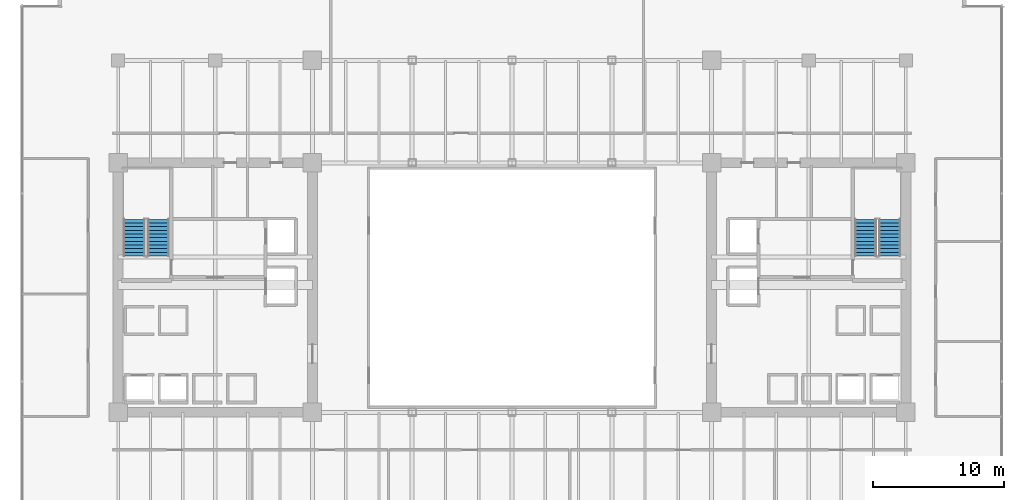
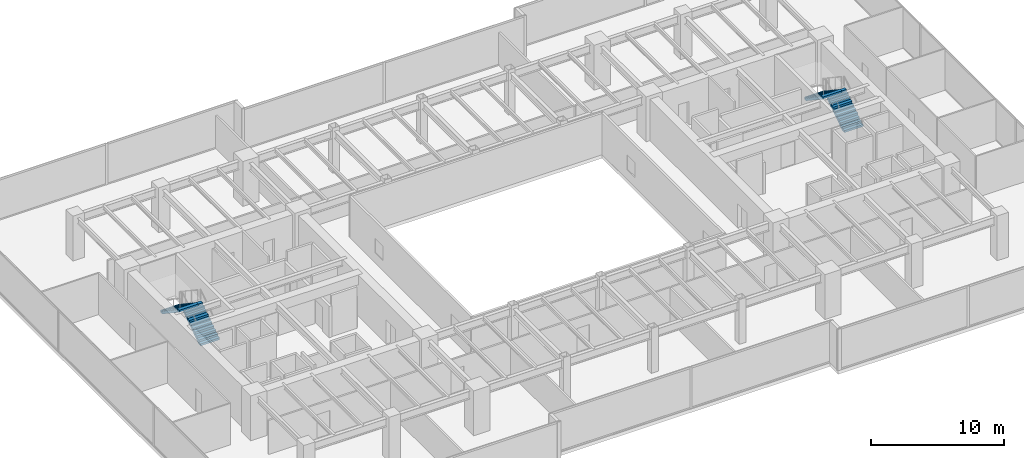
# One storey, part 33 of 35: 4 stair flights, 2 elements without a shape of their own.
"""IFC4 building model written with IfcOpenShell, lengths in metres."""

from ifc_helpers import new_model, si_unit, direction, frame, origin, place, context, subcontext, project, spatial, polyline, outline, extrude, source, transform, mapped, material, type_object, type_shapes, element, aggregate, save


model = new_model("IFC4")

# Units and contexts
model_context = context("Model", 3, precision=1e-05, world=origin(), true_north=direction((0.0, 1.0)))
body_context = subcontext(model_context, "Body", "Model", "MODEL_VIEW")
ifc_project = project(units=[si_unit("LENGTHUNIT", "METRE"), si_unit("AREAUNIT", "SQUARE_METRE"), si_unit("VOLUMEUNIT", "CUBIC_METRE"), si_unit("PLANEANGLEUNIT", "RADIAN"), si_unit("MASSUNIT", "GRAM", prefix="KILO")], contexts=[model_context])

# Site, building, storey
site_placement = place(None, origin())
site = spatial("IfcSite", under=ifc_project, at=site_placement, CompositionType="ELEMENT")
building_placement = place(site_placement, origin())
building = spatial("IfcBuilding", under=site, at=building_placement, Name="Haelvirn Gate Laboratories", CompositionType="ELEMENT")
storey_placement = place(building_placement, frame((0.0, 0.0, 86.699951171875)))
storey = spatial("IfcBuildingStorey", under=building, at=storey_placement, Name="L21", CompositionType="ELEMENT", Elevation=86.699951171875)

# Stair, stair flights
ifc_material = material(Name="Concrete C40/50", Category="concrete")
stair_type = type_object("IfcStairType", Name="ST-DOG-1650-R22", PredefinedType="HALF_TURN_STAIR", material=ifc_material)
stair_1_placement = place(storey_placement, origin())
stair_1 = element("IfcStair", 1, at=stair_1_placement, inside=storey, type_object=stair_type, Name="L21 Escape Stair ST1", PredefinedType="HALF_TURN_STAIR")
stair_flight_type = type_object("IfcStairFlightType", Name="STF-1650-R11", PredefinedType="STRAIGHT", material=ifc_material)
shared_shape = source(origin(), body_context, "Body", "SweptSolid", [
    extrude(outline(polyline([(0.0, 0.0), (0.0, 0.186279296875), (0.280029296875, 0.186279296875), (0.280029296875, 0.372802734375), (0.56005859375, 0.372802734375), (0.56005859375, 0.55908203125), (0.840087890625, 0.55908203125), (0.840087890625, 0.745361328125), (1.1201171875, 0.745361328125), (1.1201171875, 0.931884765625), (1.39990234375, 0.931884765625), (1.39990234375, 1.1181640625), (1.679931640625, 1.1181640625), (1.679931640625, 1.304443359375), (1.9599609375, 1.304443359375), (1.9599609375, 1.490966796875), (2.239990234375, 1.490966796875), (2.239990234375, 1.67724609375), (2.52001953125, 1.67724609375), (2.52001953125, 1.863525390625), (2.800048828125, 1.863525390625), (2.800048828125, 2.050048828125), (2.800048828125, 1.671630859375), (0.28857421875, 0.0), (0.0, 0.0)])), frame((0.0, 0.824951171875, 0.0), z_axis=(0.0, -1.0, 0.0), x_axis=(1.0, 0.0, 0.0)), (0.0, 0.0, 1.0), 1.64990234375),
])
type_shapes(stair_flight_type, [shared_shape])
stair_flight_1_placement = place(storey_placement, frame((10.47509765625, 26.699951171875, 0.0), z_axis=(0.0, 0.0, 1.0), x_axis=(0.0, 1.0, 0.0)))
stair_flight_1 = element("IfcStairFlight", 2, at=stair_flight_1_placement, type_object=stair_flight_type, Name="ST1 flight 1", NumberOfRisers=11, NumberOfTreads=10, PredefinedType="STRAIGHT", RiserHeight=0.186363636, TreadLength=0.28, context=body_context, shape_type="MappedRepresentation", body=[
    mapped(shared_shape, transform((0.0, 0.0, 0.0), scale=1.0)),
])
stair_flight_2_placement = place(storey_placement, frame((8.625, 29.5, 2.050048828125), z_axis=(0.0, 0.0, 1.0), x_axis=(0.0, -1.0, 0.0)))
stair_flight_2 = element("IfcStairFlight", 3, at=stair_flight_2_placement, type_object=stair_flight_type, Name="ST1 flight 2", NumberOfRisers=11, NumberOfTreads=10, PredefinedType="STRAIGHT", RiserHeight=0.186363636, TreadLength=0.28, context=body_context, shape_type="MappedRepresentation", body=[
    mapped(shared_shape, transform((0.0, 0.0, 0.0), scale=1.0)),
])
aggregate(stair_1, [stair_flight_1, stair_flight_2])

stair_2_placement = place(storey_placement, origin())
stair_2 = element("IfcStair", 4, at=stair_2_placement, inside=storey, type_object=stair_type, Name="L21 Escape Stair ST2", PredefinedType="HALF_TURN_STAIR")
stair_flight_3_placement = place(storey_placement, frame((66.175048828125, 26.699951171875, 0.0), z_axis=(0.0, 0.0, 1.0), x_axis=(0.0, 1.0, 0.0)))
stair_flight_3 = element("IfcStairFlight", 5, at=stair_flight_3_placement, type_object=stair_flight_type, Name="ST2 flight 1", NumberOfRisers=11, NumberOfTreads=10, PredefinedType="STRAIGHT", RiserHeight=0.186363636, TreadLength=0.28, context=body_context, shape_type="MappedRepresentation", body=[
    mapped(shared_shape, transform((0.0, 0.0, 0.0), scale=1.0)),
])
stair_flight_4_placement = place(storey_placement, frame((64.324951171875, 29.5, 2.050048828125), z_axis=(0.0, 0.0, 1.0), x_axis=(0.0, -1.0, 0.0)))
stair_flight_4 = element("IfcStairFlight", 6, at=stair_flight_4_placement, type_object=stair_flight_type, Name="ST2 flight 2", NumberOfRisers=11, NumberOfTreads=10, PredefinedType="STRAIGHT", RiserHeight=0.186363636, TreadLength=0.28, context=body_context, shape_type="MappedRepresentation", body=[
    mapped(shared_shape, transform((0.0, 0.0, 0.0), scale=1.0)),
])
aggregate(stair_2, [stair_flight_3, stair_flight_4])

save(model, "model.ifc")
